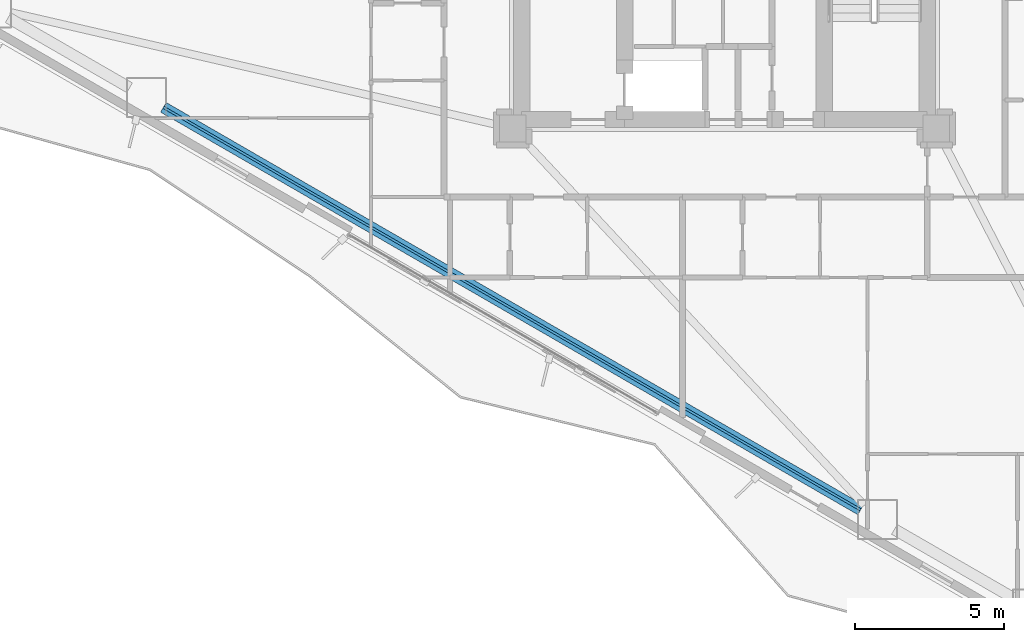
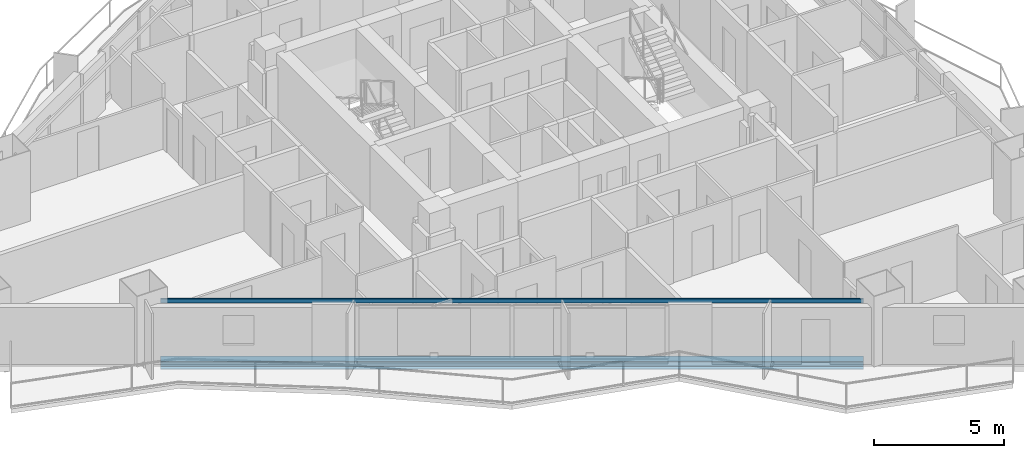
# One storey, part 3 of 18: 2 beams.
"""IFC4 building model written with IfcOpenShell, lengths in metres."""

from ifc_helpers import new_model, si_unit, direction, frame, origin, origin_2d, place, context, subcontext, project, spatial, hollow_rectangle, i_section, extrude, material, material_profile, profile_set, type_object, element, save


model = new_model("IFC4")

# Units and contexts
model_context = context("Model", 3, precision=1e-05, world=origin(), true_north=direction((0.0, 1.0)))
body_context = subcontext(model_context, "Body", "Model", "MODEL_VIEW")
ifc_project = project(units=[si_unit("LENGTHUNIT", "METRE"), si_unit("AREAUNIT", "SQUARE_METRE"), si_unit("VOLUMEUNIT", "CUBIC_METRE"), si_unit("PLANEANGLEUNIT", "RADIAN"), si_unit("MASSUNIT", "GRAM", prefix="KILO")], contexts=[model_context])

# Site, building, storey
site_placement = place(None, origin())
site = spatial("IfcSite", under=ifc_project, at=site_placement, CompositionType="ELEMENT")
building_placement = place(site_placement, origin())
building = spatial("IfcBuilding", under=site, at=building_placement, Name="Mersakhor Tower and Convention Hall", CompositionType="ELEMENT")
storey_placement = place(building_placement, frame((0.0, 0.0, 39.0)))
storey = spatial("IfcBuildingStorey", under=building, at=storey_placement, Name="L10", CompositionType="ELEMENT", Elevation=39.0)

# Beams
ifc_material_1 = material(Name="Steel S355", Category="steel")
ifc_material_profile_1 = material_profile(ifc_material_1, hollow_rectangle(XDim=0.080078125, YDim=0.179931640625, WallThickness=0.008056640625, at=origin_2d()), Name="RHS 180x80x8")
ifc_profile_set_1 = profile_set([ifc_material_profile_1], Name="Steel S355")
beam_type_1 = type_object("IfcBeamType", Name="BM-GRT-RHS180", PredefinedType="USERDEFINED", material=ifc_profile_set_1)
beam_1_placement = place(storey_placement, frame((33.566162109375, 7.6591796875, 2.47998046875), z_axis=(-0.866025970279, 0.499999018801, 0.0), x_axis=(-0.499999018801, -0.866025970279, 0.0)))
element("IfcBeam", 1, at=beam_1_placement, inside=storey, type_object=beam_type_1, Name="L10 Facade Support Girt GRT-F3", ObjectType="GIRT", PredefinedType="USERDEFINED", context=body_context, shape_type="SweptSolid", body=[
    extrude(hollow_rectangle(XDim=0.080078125, YDim=0.179931640625, WallThickness=0.008056640625, at=origin_2d()), origin(), (0.0, 0.0, 1.0), 26.99951171875),
])
ifc_material_2 = material(Name="Steel S355", Category="steel")
ifc_material_profile_2 = material_profile(ifc_material_2, i_section(OverallWidth=0.374755859375, OverallDepth=0.37451171875, WebThickness=0.0166015625, FlangeThickness=0.027099609375, at=origin_2d()), Name="UC 356x368x202")
ifc_profile_set_2 = profile_set([ifc_material_profile_2], Name="Steel S355")
beam_type_2 = type_object("IfcBeamType", Name="BM-SPD-UC356", PredefinedType="SPANDREL", material=ifc_profile_set_2)
beam_2_placement = place(storey_placement, frame((33.566162109375, 7.6591796875, -0.447265625), z_axis=(-0.866025970279, 0.499999018801, 0.0), x_axis=(-0.499999018801, -0.866025970279, 0.0)))
element("IfcBeam", 2, at=beam_2_placement, inside=storey, type_object=beam_type_2, Name="L10 Perimeter Spandrel Beam SPB-10", PredefinedType="SPANDREL", context=body_context, shape_type="SweptSolid", body=[
    extrude(i_section(OverallWidth=0.374755859375, OverallDepth=0.37451171875, WebThickness=0.0166015625, FlangeThickness=0.027099609375, at=origin_2d()), origin(), (0.0, 0.0, 1.0), 26.99951171875),
])

save(model, "model.ifc")
